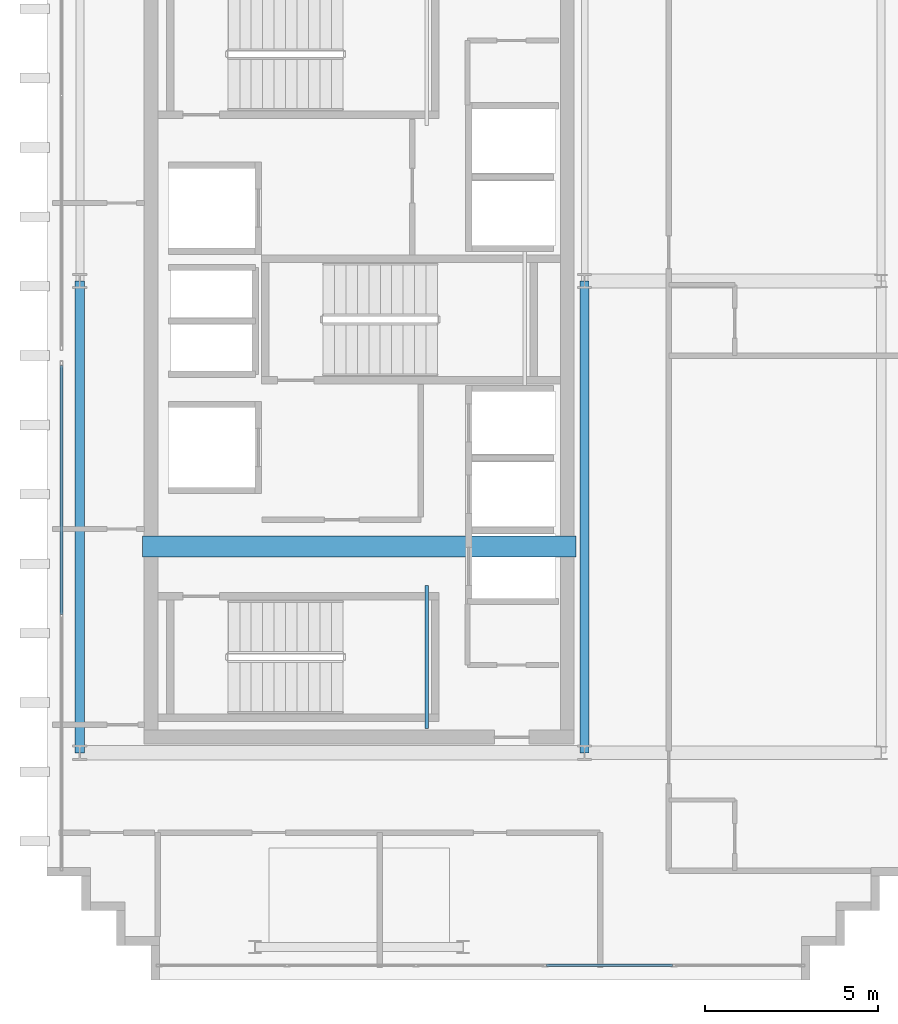
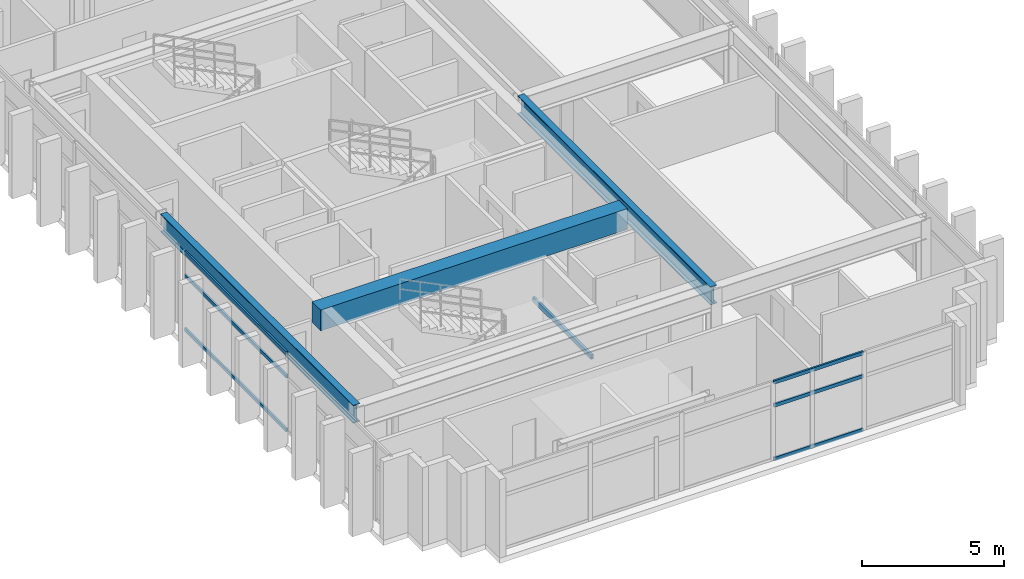
# One storey, part 3 of 15: 6 members, 4 beams, 2 elements without a shape of their own.
"""IFC4 building model written with IfcOpenShell, lengths in metres."""

from ifc_helpers import new_model, si_unit, direction, frame, origin, origin_2d, place, context, subcontext, project, spatial, rectangle, hollow_rectangle, i_section, extrude, source, transform, mapped, material, layer, layer_set, material_profile, profile_set, type_object, element, aggregate, save


model = new_model("IFC4")

# Units and contexts
model_context = context("Model", 3, precision=1e-05, world=origin(), true_north=direction((0.0, 1.0)))
body_context = subcontext(model_context, "Body", "Model", "MODEL_VIEW")
ifc_project = project(units=[si_unit("LENGTHUNIT", "METRE"), si_unit("AREAUNIT", "SQUARE_METRE"), si_unit("VOLUMEUNIT", "CUBIC_METRE"), si_unit("PLANEANGLEUNIT", "RADIAN"), si_unit("MASSUNIT", "GRAM", prefix="KILO")], contexts=[model_context])

# Site, building, storey
site_placement = place(None, origin())
site = spatial("IfcSite", under=ifc_project, at=site_placement, CompositionType="ELEMENT")
building_placement = place(site_placement, origin())
building = spatial("IfcBuilding", under=site, at=building_placement, Name="Ocotamira Hotel", CompositionType="ELEMENT")
storey_placement = place(building_placement, frame((0.0, 0.0, 294.0)))
storey = spatial("IfcBuildingStorey", under=building, at=storey_placement, Name="L75", CompositionType="ELEMENT", Elevation=294.0)

# Beams
ifc_material_1 = material(Name="Concrete C50/60", Category="concrete")
ifc_material_profile_1 = material_profile(ifc_material_1, rectangle(XDim=0.60009765625, YDim=0.89990234375, at=origin_2d()), Name="RC600X900")
ifc_profile_set_1 = profile_set([ifc_material_profile_1], Name="Concrete C50/60")
beam_type_1 = type_object("IfcBeamType", Name="BM-LINK-RC600", PredefinedType="LINTEL", material=ifc_profile_set_1)
shared_shape_1 = source(origin(), body_context, "Body", "SweptSolid", [
    extrude(rectangle(XDim=0.60009765625, YDim=0.89990234375, at=origin_2d()), origin(), (0.0, 0.0, 1.0), 12.5),
])
beam_1_placement = place(storey_placement, frame((10.75, 20.5, 2.929931640625), z_axis=(1.0, 0.0, 0.0), x_axis=(0.0, 1.0, 0.0)))
element("IfcBeam", 1, at=beam_1_placement, inside=storey, type_object=beam_type_1, Name="L75 West Core Coupling Beam", PredefinedType="LINTEL", context=body_context, shape_type="MappedRepresentation", body=[
    mapped(shared_shape_1, transform((0.0, 0.0, 0.0), scale=1.0)),
])
ifc_material_2 = material(Name="Steel ASTM A500 Grade C", Category="steel")
ifc_material_profile_2 = material_profile(ifc_material_2, hollow_rectangle(XDim=0.10009765625, YDim=0.199951171875, WallThickness=0.008056640625, at=origin_2d()), Name="HSS200X100X8")
ifc_profile_set_2 = profile_set([ifc_material_profile_2], Name="Steel ASTM A500 Grade C")
beam_type_2 = type_object("IfcBeamType", Name="BM-STLDG-HSS200", PredefinedType="BEAM", material=ifc_profile_set_2)
shared_shape_2 = source(origin(), body_context, "Body", "SweptSolid", [
    extrude(hollow_rectangle(XDim=0.10009765625, YDim=0.199951171875, WallThickness=0.008056640625, at=origin_2d()), origin(), (0.0, 0.0, 1.0), 4.1201171875),
])
beam_2_placement = place(storey_placement, frame((18.949951171875, 15.25, 1.5), z_axis=(0.0, 1.0, 0.0), x_axis=(-1.0, 0.0, 0.0)))
element("IfcBeam", 2, at=beam_2_placement, inside=storey, type_object=beam_type_2, Name="L75 Stair ST-1 Landing Bearer 1", PredefinedType="BEAM", context=body_context, shape_type="MappedRepresentation", body=[
    mapped(shared_shape_2, transform((0.0, 0.0, 0.0), scale=1.0)),
])
ifc_material_3 = material(Name="Steel ASTM A992 Grade 50", Category="steel")
ifc_material_profile_3 = material_profile(ifc_material_3, i_section(OverallWidth=0.26611328125, OverallDepth=0.779052734375, WebThickness=0.0166015625, FlangeThickness=0.030029296875, FilletRadius=0.01806640625, at=origin_2d()), Name="W30X148")
ifc_profile_set_3 = profile_set([ifc_material_profile_3], Name="Steel ASTM A992 Grade 50")
beam_type_3 = type_object("IfcBeamType", Name="BM-GIRD-W30X148", PredefinedType="BEAM", material=ifc_profile_set_3)
shared_shape_3 = source(origin(), body_context, "Body", "SweptSolid", [
    extrude(i_section(OverallWidth=0.26611328125, OverallDepth=0.779052734375, WebThickness=0.0166015625, FlangeThickness=0.030029296875, FilletRadius=0.01806640625, at=origin_2d()), origin(), (0.0, 0.0, 1.0), 13.599853515625),
])
for number, where, z_axis, x_axis, name in (
    (3, (8.949951171875, 14.550048828125, 2.990478515625), (0.0, 1.0, 0.0), (-1.0, 0.0, 0.0), "L75 Beam X8.95 Y14.55-28.15"),
    (4, (23.5, 14.550048828125, 2.990478515625), (0.0, 1.0, 0.0), (-1.0, 0.0, 0.0), "L75 Beam X23.5 Y14.55-28.15"),
):
    element("IfcBeam", number, at=place(storey_placement, frame(where, z_axis=z_axis, x_axis=x_axis)), inside=storey, type_object=beam_type_3, Name=name, PredefinedType="BEAM", context=body_context, shape_type="MappedRepresentation", body=[
        mapped(shared_shape_3, transform((0.0, 0.0, 0.0), scale=1.0)),
    ])

# Curtain wall, members
ifc_material_4 = material(Name="Anodised pale-metal aluminium and solar glass", Category="aluminium")
ifc_layer = layer(ifc_material_4, 0.2099609375)
ifc_layer_set = layer_set([ifc_layer], Name="Anodised pale-metal aluminium and solar glass")
curtain_wall_type = type_object("IfcCurtainWallType", Name="CW-SYS7-PEAK", PredefinedType="NOTDEFINED", material=ifc_layer_set)
curtain_wall_1_placement = place(storey_placement, origin())
curtain_wall_1 = element("IfcCurtainWall", 5, at=curtain_wall_1_placement, inside=storey, type_object=curtain_wall_type, Name="L75 Curtain Wall CW-7 CW-L75-W1", PredefinedType="NOTDEFINED")
ifc_material_5 = material(Name="Anodised pale-metal aluminium 6063-T6", Category="aluminium")
ifc_material_profile_4 = material_profile(ifc_material_5, hollow_rectangle(XDim=0.074951171875, YDim=0.14990234375, WallThickness=0.006103515625, at=origin_2d()), Name="HSS150X75X6")
ifc_profile_set_4 = profile_set([ifc_material_profile_4], Name="Anodised pale-metal aluminium 6063-T6")
member_type = type_object("IfcMemberType", Name="CWT-150X75", PredefinedType="USERDEFINED", material=ifc_profile_set_4)
shared_shape_4 = source(origin(), body_context, "Body", "SweptSolid", [
    extrude(hollow_rectangle(XDim=0.074951171875, YDim=0.14990234375, WallThickness=0.006103515625, at=origin_2d()), origin(), (0.0, 0.0, 1.0), 7.179931640625),
])
member_1_placement = place(storey_placement, frame((8.419921875, 18.5400390625, 0.03759765625), z_axis=(0.0, 1.0, 0.0), x_axis=(-1.0, 0.0, 0.0)))
member_1 = element("IfcMember", 6, at=member_1_placement, type_object=member_type, Name="CW-7 transom 2.1", ObjectType="TRANSOM", PredefinedType="USERDEFINED", context=body_context, shape_type="MappedRepresentation", body=[
    mapped(shared_shape_4, transform((0.0, 0.0, 0.0), scale=1.0)),
])
member_2_placement = place(storey_placement, frame((8.419921875, 18.5400390625, 2.35009765625), z_axis=(0.0, 1.0, 0.0), x_axis=(-1.0, 0.0, 0.0)))
member_2 = element("IfcMember", 7, at=member_2_placement, type_object=member_type, Name="CW-7 transom 2.2", ObjectType="TRANSOM", PredefinedType="USERDEFINED", context=body_context, shape_type="MappedRepresentation", body=[
    mapped(shared_shape_4, transform((0.0, 0.0, 0.0), scale=1.0)),
])
member_3_placement = place(storey_placement, frame((8.419921875, 18.5400390625, 3.342529296875), z_axis=(0.0, 1.0, 0.0), x_axis=(-1.0, 0.0, 0.0)))
member_3 = element("IfcMember", 8, at=member_3_placement, type_object=member_type, Name="CW-7 transom 2.3", ObjectType="TRANSOM", PredefinedType="USERDEFINED", context=body_context, shape_type="MappedRepresentation", body=[
    mapped(shared_shape_4, transform((0.0, 0.0, 0.0), scale=1.0)),
])
aggregate(curtain_wall_1, [member_1, member_2, member_3])

curtain_wall_2_placement = place(storey_placement, origin())
curtain_wall_2 = element("IfcCurtainWall", 9, at=curtain_wall_2_placement, inside=storey, type_object=curtain_wall_type, Name="L75 Curtain Wall CW-7 CW-L75-S1", PredefinedType="NOTDEFINED")
shared_shape_5 = source(origin(), body_context, "Body", "SweptSolid", [
    extrude(hollow_rectangle(XDim=0.074951171875, YDim=0.14990234375, WallThickness=0.006103515625, at=origin_2d()), origin(), (0.0, 0.0, 1.0), 3.64013671875),
])
member_4_placement = place(storey_placement, frame((22.39990234375, 8.419921875, 0.03759765625), z_axis=(1.0, 0.0, 0.0), x_axis=(0.0, 1.0, 0.0)))
member_4 = element("IfcMember", 10, at=member_4_placement, type_object=member_type, Name="CW-7 transom 4.1", ObjectType="TRANSOM", PredefinedType="USERDEFINED", context=body_context, shape_type="MappedRepresentation", body=[
    mapped(shared_shape_5, transform((0.0, 0.0, 0.0), scale=1.0)),
])
member_5_placement = place(storey_placement, frame((22.39990234375, 8.419921875, 2.35009765625), z_axis=(1.0, 0.0, 0.0), x_axis=(0.0, 1.0, 0.0)))
member_5 = element("IfcMember", 11, at=member_5_placement, type_object=member_type, Name="CW-7 transom 4.2", ObjectType="TRANSOM", PredefinedType="USERDEFINED", context=body_context, shape_type="MappedRepresentation", body=[
    mapped(shared_shape_5, transform((0.0, 0.0, 0.0), scale=1.0)),
])
member_6_placement = place(storey_placement, frame((22.39990234375, 8.419921875, 3.342529296875), z_axis=(1.0, 0.0, 0.0), x_axis=(0.0, 1.0, 0.0)))
member_6 = element("IfcMember", 12, at=member_6_placement, type_object=member_type, Name="CW-7 transom 4.3", ObjectType="TRANSOM", PredefinedType="USERDEFINED", context=body_context, shape_type="MappedRepresentation", body=[
    mapped(shared_shape_5, transform((0.0, 0.0, 0.0), scale=1.0)),
])
aggregate(curtain_wall_2, [member_4, member_5, member_6])

save(model, "model.ifc")
